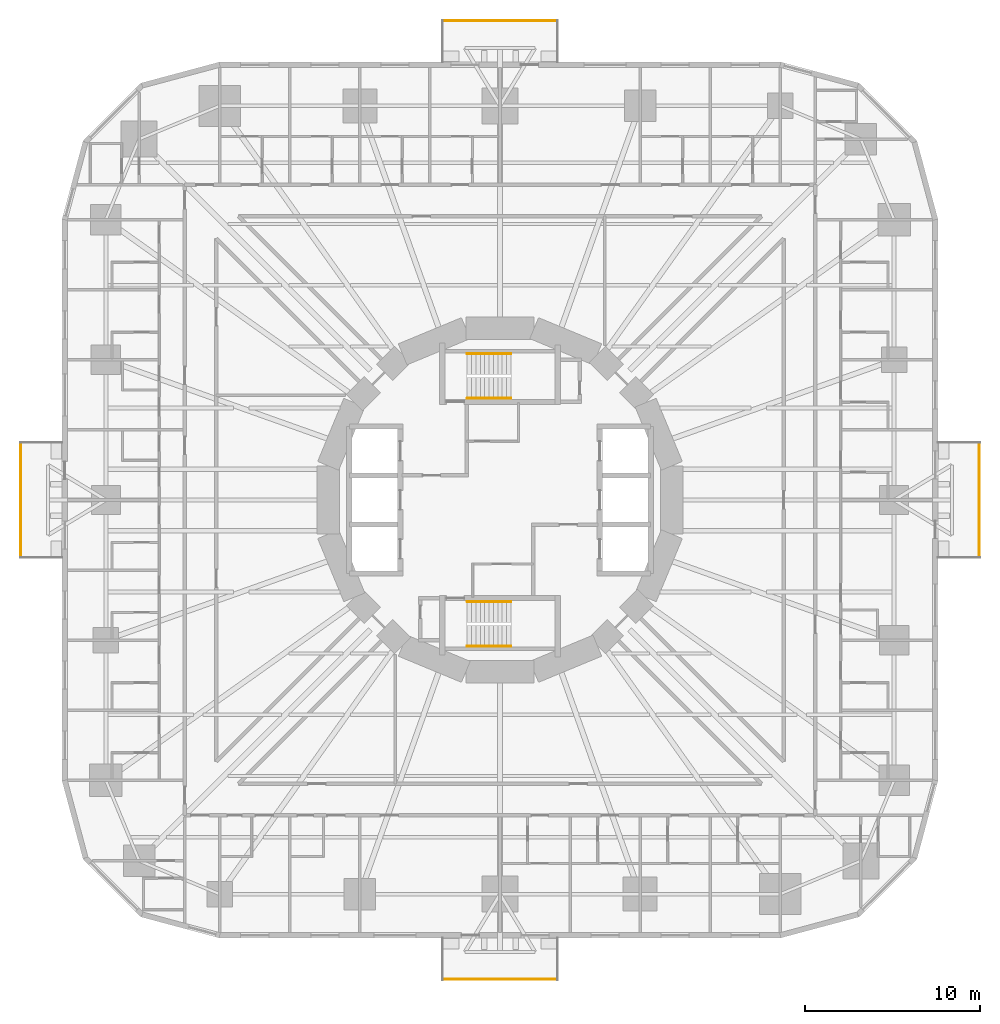
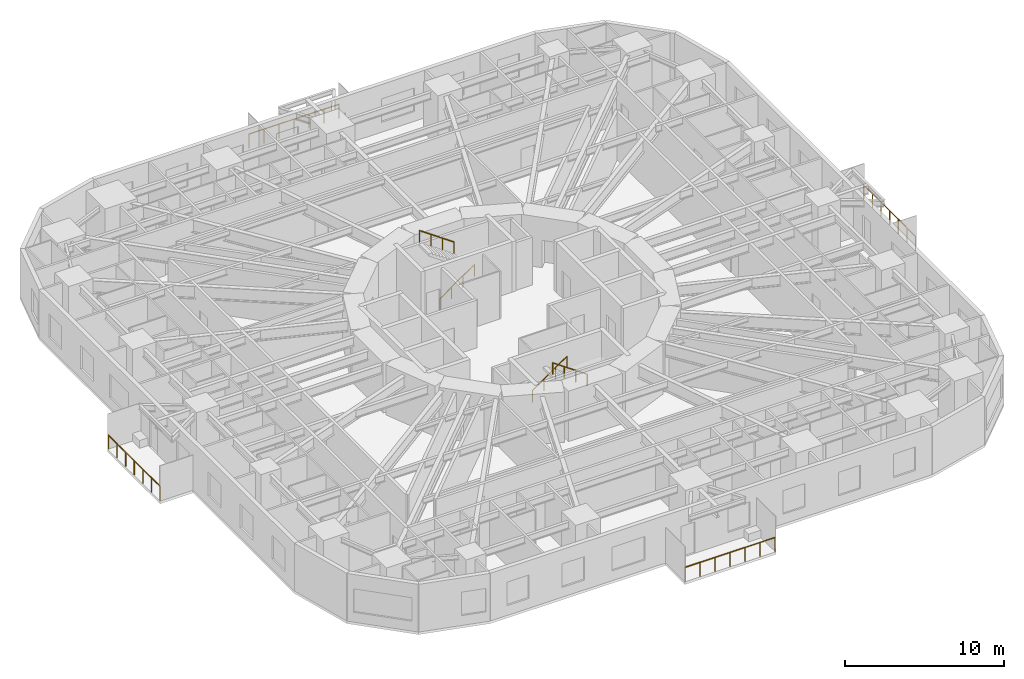
# One storey, part 13 of 14: 8 railings.
"""IFC4 building model written with IfcOpenShell, lengths in metres."""

from ifc_helpers import new_model, si_unit, direction, frame, origin, origin_2d, place, context, subcontext, project, spatial, circle, extrude, material, type_object, element, save


model = new_model("IFC4")

# Units and contexts
model_context = context("Model", 3, precision=1e-05, world=origin(), true_north=direction((0.0, 1.0)))
body_context = subcontext(model_context, "Body", "Model", "MODEL_VIEW")
ifc_project = project(units=[si_unit("LENGTHUNIT", "METRE"), si_unit("AREAUNIT", "SQUARE_METRE"), si_unit("VOLUMEUNIT", "CUBIC_METRE"), si_unit("PLANEANGLEUNIT", "RADIAN"), si_unit("MASSUNIT", "GRAM", prefix="KILO")], contexts=[model_context])

# Site, building, storey
site_placement = place(None, origin())
site = spatial("IfcSite", under=ifc_project, at=site_placement, CompositionType="ELEMENT")
building_placement = place(site_placement, origin())
building = spatial("IfcBuilding", under=site, at=building_placement, Name="Nakasero Lantern House", CompositionType="ELEMENT")
storey_placement = place(building_placement, frame((0.0, 0.0, 23.699951171875)))
storey = spatial("IfcBuildingStorey", under=building, at=storey_placement, Name="L05", CompositionType="ELEMENT", Elevation=23.699951171875)

# Railings
ifc_material_1 = material(Name="Aluminium 6063-T6", Category="aluminium")
railing_type_1 = type_object("IfcRailingType", Name="Balcony guard 1100", PredefinedType="BALUSTRADE", material=ifc_material_1)
railing_1_placement = place(storey_placement, frame((27.35009765625, -3.260009765625, 0.0)))
element("IfcRailing", 1, at=railing_1_placement, inside=storey, type_object=railing_type_1, Name="Balcony guard L05 BAL0", PredefinedType="BALUSTRADE", context=body_context, shape_type="SweptSolid", body=[
    extrude(circle(Radius=0.02392578125, at=origin_2d()), frame((0.0, 0.0, 1.076171875), z_axis=(0.0, 1.0, 0.0), x_axis=(-1.0, 0.0, 0.0)), (0.0, 0.0, 1.0), 6.52001953125),
    extrude(circle(Radius=0.02099609375, at=origin_2d()), origin(), (0.0, 0.0, 1.0), 1.052001953125),
    extrude(circle(Radius=0.02099609375, at=origin_2d()), frame((0.0, 1.086669921875, 0.0)), (0.0, 0.0, 1.0), 1.052001953125),
    extrude(circle(Radius=0.02099609375, at=origin_2d()), frame((0.0, 2.17333984375, 0.0)), (0.0, 0.0, 1.0), 1.052001953125),
    extrude(circle(Radius=0.02099609375, at=origin_2d()), frame((0.0, 3.260009765625, 0.0)), (0.0, 0.0, 1.0), 1.052001953125),
    extrude(circle(Radius=0.02099609375, at=origin_2d()), frame((0.0, 4.3466796875, 0.0)), (0.0, 0.0, 1.0), 1.052001953125),
    extrude(circle(Radius=0.02099609375, at=origin_2d()), frame((0.0, 5.433349609375, 0.0)), (0.0, 0.0, 1.0), 1.052001953125),
    extrude(circle(Radius=0.02099609375, at=origin_2d()), frame((0.0, 6.52001953125, 0.0)), (0.0, 0.0, 1.0), 1.052001953125),
])
railing_2_placement = place(storey_placement, frame((3.260009765625, 27.35009765625, 0.0)))
element("IfcRailing", 2, at=railing_2_placement, inside=storey, type_object=railing_type_1, Name="Balcony guard L05 BAL1", PredefinedType="BALUSTRADE", context=body_context, shape_type="SweptSolid", body=[
    extrude(circle(Radius=0.02392578125, at=origin_2d()), frame((0.0, 0.0, 1.076171875), z_axis=(-1.0, 0.0, 0.0), x_axis=(0.0, -1.0, 0.0)), (0.0, 0.0, 1.0), 6.52001953125),
    extrude(circle(Radius=0.02099609375, at=origin_2d()), origin(), (0.0, 0.0, 1.0), 1.052001953125),
    extrude(circle(Radius=0.02099609375, at=origin_2d()), frame((-1.086669921875, 0.0, 0.0)), (0.0, 0.0, 1.0), 1.052001953125),
    extrude(circle(Radius=0.02099609375, at=origin_2d()), frame((-2.17333984375, 0.0, 0.0)), (0.0, 0.0, 1.0), 1.052001953125),
    extrude(circle(Radius=0.02099609375, at=origin_2d()), frame((-3.260009765625, 0.0, 0.0)), (0.0, 0.0, 1.0), 1.052001953125),
    extrude(circle(Radius=0.02099609375, at=origin_2d()), frame((-4.3466796875, 0.0, 0.0)), (0.0, 0.0, 1.0), 1.052001953125),
    extrude(circle(Radius=0.02099609375, at=origin_2d()), frame((-5.433349609375, 0.0, 0.0)), (0.0, 0.0, 1.0), 1.052001953125),
    extrude(circle(Radius=0.02099609375, at=origin_2d()), frame((-6.52001953125, 0.0, 0.0)), (0.0, 0.0, 1.0), 1.052001953125),
])
railing_3_placement = place(storey_placement, frame((-27.35009765625, 3.260009765625, 0.0)))
element("IfcRailing", 3, at=railing_3_placement, inside=storey, type_object=railing_type_1, Name="Balcony guard L05 BAL2", PredefinedType="BALUSTRADE", context=body_context, shape_type="SweptSolid", body=[
    extrude(circle(Radius=0.02392578125, at=origin_2d()), frame((0.0, 0.0, 1.076171875), z_axis=(0.0, -1.0, 0.0), x_axis=(1.0, 0.0, 0.0)), (0.0, 0.0, 1.0), 6.52001953125),
    extrude(circle(Radius=0.02099609375, at=origin_2d()), origin(), (0.0, 0.0, 1.0), 1.052001953125),
    extrude(circle(Radius=0.02099609375, at=origin_2d()), frame((0.0, -1.086669921875, 0.0)), (0.0, 0.0, 1.0), 1.052001953125),
    extrude(circle(Radius=0.02099609375, at=origin_2d()), frame((0.0, -2.17333984375, 0.0)), (0.0, 0.0, 1.0), 1.052001953125),
    extrude(circle(Radius=0.02099609375, at=origin_2d()), frame((0.0, -3.260009765625, 0.0)), (0.0, 0.0, 1.0), 1.052001953125),
    extrude(circle(Radius=0.02099609375, at=origin_2d()), frame((0.0, -4.3466796875, 0.0)), (0.0, 0.0, 1.0), 1.052001953125),
    extrude(circle(Radius=0.02099609375, at=origin_2d()), frame((0.0, -5.433349609375, 0.0)), (0.0, 0.0, 1.0), 1.052001953125),
    extrude(circle(Radius=0.02099609375, at=origin_2d()), frame((0.0, -6.52001953125, 0.0)), (0.0, 0.0, 1.0), 1.052001953125),
])
railing_4_placement = place(storey_placement, frame((-3.260009765625, -27.35009765625, 0.0)))
element("IfcRailing", 4, at=railing_4_placement, inside=storey, type_object=railing_type_1, Name="Balcony guard L05 BAL3", PredefinedType="BALUSTRADE", context=body_context, shape_type="SweptSolid", body=[
    extrude(circle(Radius=0.02392578125, at=origin_2d()), frame((0.0, 0.0, 1.076171875), z_axis=(1.0, 0.0, 0.0), x_axis=(0.0, 1.0, 0.0)), (0.0, 0.0, 1.0), 6.52001953125),
    extrude(circle(Radius=0.02099609375, at=origin_2d()), origin(), (0.0, 0.0, 1.0), 1.052001953125),
    extrude(circle(Radius=0.02099609375, at=origin_2d()), frame((1.086669921875, 0.0, 0.0)), (0.0, 0.0, 1.0), 1.052001953125),
    extrude(circle(Radius=0.02099609375, at=origin_2d()), frame((2.17333984375, 0.0, 0.0)), (0.0, 0.0, 1.0), 1.052001953125),
    extrude(circle(Radius=0.02099609375, at=origin_2d()), frame((3.260009765625, 0.0, 0.0)), (0.0, 0.0, 1.0), 1.052001953125),
    extrude(circle(Radius=0.02099609375, at=origin_2d()), frame((4.3466796875, 0.0, 0.0)), (0.0, 0.0, 1.0), 1.052001953125),
    extrude(circle(Radius=0.02099609375, at=origin_2d()), frame((5.433349609375, 0.0, 0.0)), (0.0, 0.0, 1.0), 1.052001953125),
    extrude(circle(Radius=0.02099609375, at=origin_2d()), frame((6.52001953125, 0.0, 0.0)), (0.0, 0.0, 1.0), 1.052001953125),
])
ifc_material_2 = material(Name="Stainless steel 316", Category="steel")
railing_type_2 = type_object("IfcRailingType", Name="Stair handrail 900", PredefinedType="HANDRAIL", material=ifc_material_2)
railing_5_placement = place(storey_placement, frame((-1.875, 5.800048828125, 0.175048828125)))
element("IfcRailing", 5, at=railing_5_placement, inside=storey, type_object=railing_type_2, Name="Handrail ST1 L05 flight 1", PredefinedType="HANDRAIL", context=body_context, shape_type="SweptSolid", body=[
    extrude(circle(Radius=0.02392578125, at=origin_2d()), frame((0.0, 0.0, 0.8759765625), z_axis=(0.819231920519, 0.0, 0.573462344363), x_axis=(0.0, 1.0, 0.0)), (0.0, 0.0, 1.0), 3.0517578125),
    extrude(circle(Radius=0.02099609375, at=origin_2d()), origin(), (0.0, 0.0, 1.0), 0.851806640625),
    extrude(circle(Radius=0.02099609375, at=origin_2d()), frame((0.833251953125, 0.0, 0.583251953125)), (0.0, 0.0, 1.0), 0.851806640625),
    extrude(circle(Radius=0.02099609375, at=origin_2d()), frame((1.666748046875, 0.0, 1.166748046875)), (0.0, 0.0, 1.0), 0.851806640625),
    extrude(circle(Radius=0.02099609375, at=origin_2d()), frame((2.5, 0.0, 1.75)), (0.0, 0.0, 1.0), 0.851806640625),
])
railing_6_placement = place(storey_placement, frame((0.625, 8.35009765625, 2.10009765625)))
element("IfcRailing", 6, at=railing_6_placement, inside=storey, type_object=railing_type_2, Name="Handrail ST1 L05 flight 2", PredefinedType="HANDRAIL", context=body_context, shape_type="SweptSolid", body=[
    extrude(circle(Radius=0.02392578125, at=origin_2d()), frame((0.0, 0.0, 0.8759765625), z_axis=(-0.819231920519, 0.0, 0.573462344363), x_axis=(0.0, -1.0, 0.0)), (0.0, 0.0, 1.0), 3.0517578125),
    extrude(circle(Radius=0.02099609375, at=origin_2d()), origin(), (0.0, 0.0, 1.0), 0.851806640625),
    extrude(circle(Radius=0.02099609375, at=origin_2d()), frame((-0.833251953125, 0.0, 0.583251953125)), (0.0, 0.0, 1.0), 0.851806640625),
    extrude(circle(Radius=0.02099609375, at=origin_2d()), frame((-1.666748046875, 0.0, 1.166748046875)), (0.0, 0.0, 1.0), 0.851806640625),
    extrude(circle(Radius=0.02099609375, at=origin_2d()), frame((-2.5, 0.0, 1.75)), (0.0, 0.0, 1.0), 0.851806640625),
])
railing_7_placement = place(storey_placement, frame((-1.875, -5.800048828125, 0.175048828125)))
element("IfcRailing", 7, at=railing_7_placement, inside=storey, type_object=railing_type_2, Name="Handrail ST2 L05 flight 1", PredefinedType="HANDRAIL", context=body_context, shape_type="SweptSolid", body=[
    extrude(circle(Radius=0.02392578125, at=origin_2d()), frame((0.0, 0.0, 0.8759765625), z_axis=(0.819231920519, 0.0, 0.573462344363), x_axis=(0.0, 1.0, 0.0)), (0.0, 0.0, 1.0), 3.0517578125),
    extrude(circle(Radius=0.02099609375, at=origin_2d()), origin(), (0.0, 0.0, 1.0), 0.851806640625),
    extrude(circle(Radius=0.02099609375, at=origin_2d()), frame((0.833251953125, 0.0, 0.583251953125)), (0.0, 0.0, 1.0), 0.851806640625),
    extrude(circle(Radius=0.02099609375, at=origin_2d()), frame((1.666748046875, 0.0, 1.166748046875)), (0.0, 0.0, 1.0), 0.851806640625),
    extrude(circle(Radius=0.02099609375, at=origin_2d()), frame((2.5, 0.0, 1.75)), (0.0, 0.0, 1.0), 0.851806640625),
])
railing_8_placement = place(storey_placement, frame((0.625, -8.35009765625, 2.10009765625)))
element("IfcRailing", 8, at=railing_8_placement, inside=storey, type_object=railing_type_2, Name="Handrail ST2 L05 flight 2", PredefinedType="HANDRAIL", context=body_context, shape_type="SweptSolid", body=[
    extrude(circle(Radius=0.02392578125, at=origin_2d()), frame((0.0, 0.0, 0.8759765625), z_axis=(-0.819231920519, 0.0, 0.573462344363), x_axis=(0.0, -1.0, 0.0)), (0.0, 0.0, 1.0), 3.0517578125),
    extrude(circle(Radius=0.02099609375, at=origin_2d()), origin(), (0.0, 0.0, 1.0), 0.851806640625),
    extrude(circle(Radius=0.02099609375, at=origin_2d()), frame((-0.833251953125, 0.0, 0.583251953125)), (0.0, 0.0, 1.0), 0.851806640625),
    extrude(circle(Radius=0.02099609375, at=origin_2d()), frame((-1.666748046875, 0.0, 1.166748046875)), (0.0, 0.0, 1.0), 0.851806640625),
    extrude(circle(Radius=0.02099609375, at=origin_2d()), frame((-2.5, 0.0, 1.75)), (0.0, 0.0, 1.0), 0.851806640625),
])

save(model, "model.ifc")
